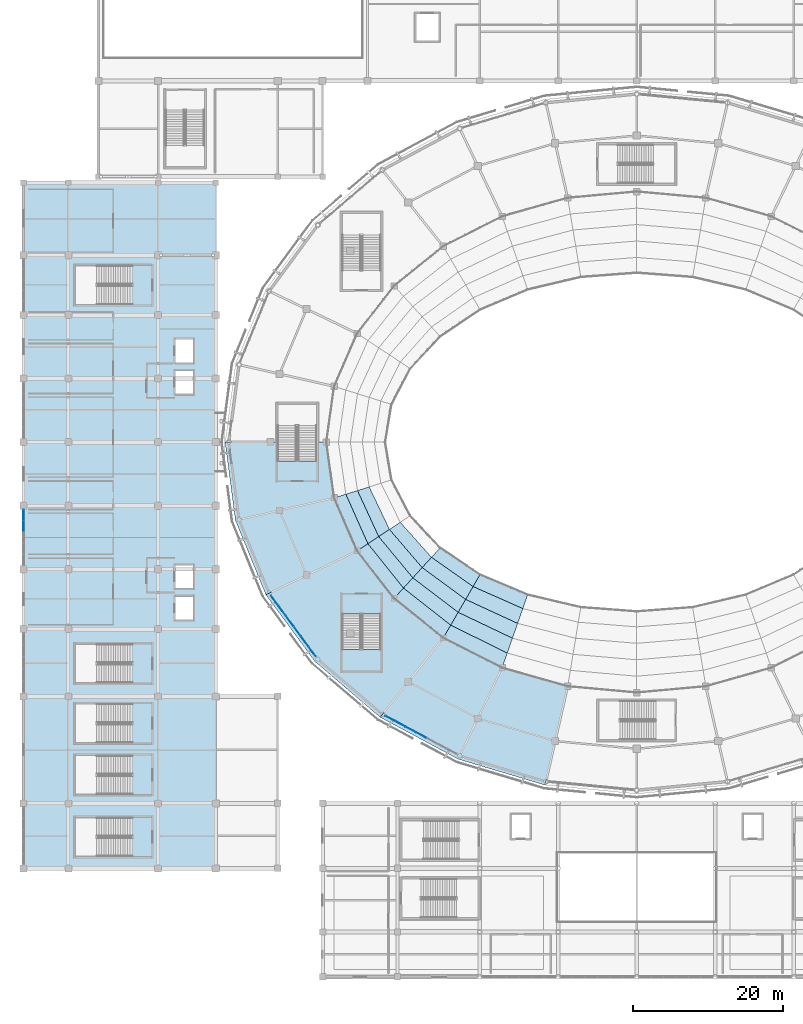
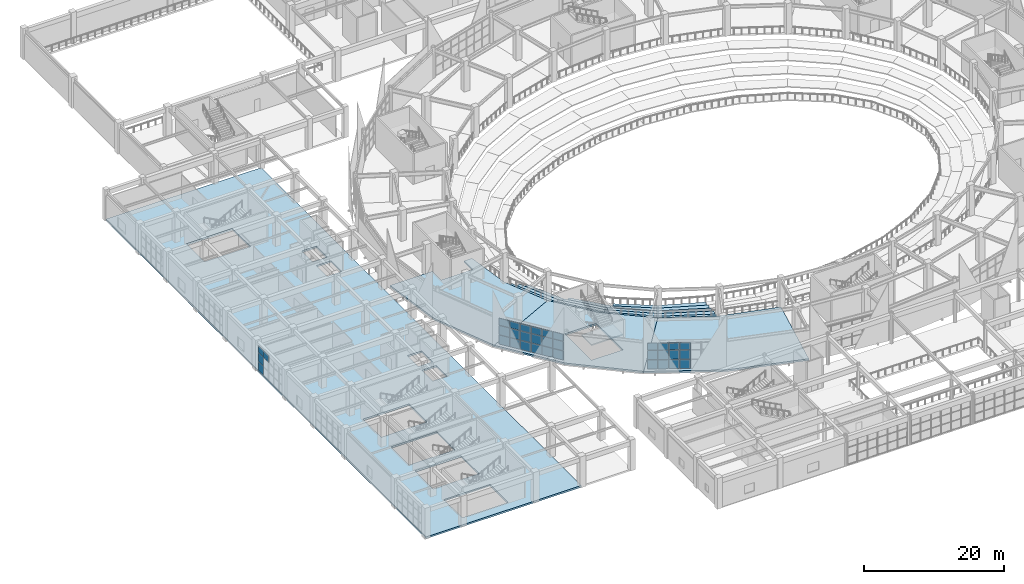
# One storey, part 58 of 120: 34 plates, 22 slabs, 4 elements without a shape of their own.
"""IFC4 building model written with IfcOpenShell, lengths in metres."""

from ifc_helpers import new_model, si_unit, direction, frame, origin, origin_2d, place, context, subcontext, project, spatial, polyline, rectangle, outline, extrude, material, layer, layer_set, type_object, element, aggregate, save


model = new_model("IFC4")

# Units and contexts
model_context = context("Model", 3, precision=1e-05, world=origin(), true_north=direction((0.0, 1.0)))
body_context = subcontext(model_context, "Body", "Model", "MODEL_VIEW")
ifc_project = project(units=[si_unit("LENGTHUNIT", "METRE"), si_unit("AREAUNIT", "SQUARE_METRE"), si_unit("VOLUMEUNIT", "CUBIC_METRE"), si_unit("PLANEANGLEUNIT", "RADIAN"), si_unit("MASSUNIT", "GRAM", prefix="KILO")], contexts=[model_context])

# Site, building, storey
site_placement = place(None, origin())
site = spatial("IfcSite", under=ifc_project, at=site_placement, CompositionType="ELEMENT")
building_placement = place(site_placement, origin())
building = spatial("IfcBuilding", under=site, at=building_placement, Name="Cuetzalor Civic Arena", CompositionType="ELEMENT")
storey_placement = place(building_placement, frame((0.0, 0.0, 6.0)))
storey = spatial("IfcBuildingStorey", under=building, at=storey_placement, Name="L01", CompositionType="ELEMENT", Elevation=6.0)

# Curtain wall, plates
ifc_material_1 = material(Name="Anodised dark bronze aluminium and low-E solar glass", Category="aluminium")
curtain_wall_type_1 = type_object("IfcCurtainWallType", Name="UnitisedCW_10150x4650", PredefinedType="USERDEFINED", material=ifc_material_1)
curtain_wall_1_placement = place(storey_placement, origin())
curtain_wall_1 = element("IfcCurtainWall", 1, at=curtain_wall_1_placement, inside=storey, type_object=curtain_wall_type_1, Name="Drum Triangle Foyer Curtain Wall L01-027", ObjectType="UNITISED CURTAIN WALL", PredefinedType="USERDEFINED")
ifc_material_2 = material(Name="Acoustic laminated solar control glass", Category="glass")
ifc_layer_1 = layer(ifc_material_2, 0.0439453125)
ifc_layer_set_1 = layer_set([ifc_layer_1], Name="Acoustic laminated solar control glass")
plate_type = type_object("IfcPlateType", Name="AcousticTripleGlazedPanel_44", PredefinedType="CURTAIN_PANEL", material=ifc_layer_set_1)
plate_1_placement = place(storey_placement, frame((-43.402587890625, -27.999755859375, 0.06982421875), z_axis=(0.0, 0.0, 1.0), x_axis=(-0.59292931222, 0.805254513002, 0.0)))
plate_1 = element("IfcPlate", 2, at=plate_1_placement, type_object=plate_type, Name="CW-06 panel 1.1", PredefinedType="CURTAIN_PANEL", context=body_context, shape_type="SweptSolid", body=[
    extrude(rectangle(XDim=1.585693359375, YDim=0.0439453125, at=origin_2d()), origin(), (0.0, 0.0, 1.0), 1.570068359375),
])
plate_2_placement = place(storey_placement, frame((-43.402587890625, -27.999755859375, 1.7099609375), z_axis=(0.0, 0.0, 1.0), x_axis=(-0.59292931222, 0.805254513002, 0.0)))
plate_2 = element("IfcPlate", 3, at=plate_2_placement, type_object=plate_type, Name="CW-06 panel 1.2", PredefinedType="CURTAIN_PANEL", context=body_context, shape_type="SweptSolid", body=[
    extrude(rectangle(XDim=1.585693359375, YDim=0.0439453125, at=origin_2d()), origin(), (0.0, 0.0, 1.0), 1.60498046875),
])
plate_3_placement = place(storey_placement, frame((-43.402587890625, -27.999755859375, 3.384765625), z_axis=(0.0, 0.0, 1.0), x_axis=(-0.59292931222, 0.805254513002, 0.0)))
plate_3 = element("IfcPlate", 4, at=plate_3_placement, type_object=plate_type, Name="CW-06 panel 1.3", PredefinedType="CURTAIN_PANEL", context=body_context, shape_type="SweptSolid", body=[
    extrude(rectangle(XDim=1.585693359375, YDim=0.0439453125, at=origin_2d()), origin(), (0.0, 0.0, 1.0), 1.197998046875),
])
plate_4_placement = place(storey_placement, frame((-44.394775390625, -26.652587890625, 0.06982421875), z_axis=(0.0, 0.0, 1.0), x_axis=(-0.59292931222, 0.805254513002, 0.0)))
plate_4 = element("IfcPlate", 5, at=plate_4_placement, type_object=plate_type, Name="CW-06 panel 2.1", PredefinedType="CURTAIN_PANEL", context=body_context, shape_type="SweptSolid", body=[
    extrude(rectangle(XDim=1.62060546875, YDim=0.0439453125, at=origin_2d()), origin(), (0.0, 0.0, 1.0), 1.570068359375),
])
plate_5_placement = place(storey_placement, frame((-44.394775390625, -26.652587890625, 1.7099609375), z_axis=(0.0, 0.0, 1.0), x_axis=(-0.59292931222, 0.805254513002, 0.0)))
plate_5 = element("IfcPlate", 6, at=plate_5_placement, type_object=plate_type, Name="CW-06 panel 2.2", PredefinedType="CURTAIN_PANEL", context=body_context, shape_type="SweptSolid", body=[
    extrude(rectangle(XDim=1.62060546875, YDim=0.0439453125, at=origin_2d()), origin(), (0.0, 0.0, 1.0), 1.60498046875),
])
plate_6_placement = place(storey_placement, frame((-44.394775390625, -26.652587890625, 3.384765625), z_axis=(0.0, 0.0, 1.0), x_axis=(-0.59292931222, 0.805254513002, 0.0)))
plate_6 = element("IfcPlate", 7, at=plate_6_placement, type_object=plate_type, Name="CW-06 panel 2.3", PredefinedType="CURTAIN_PANEL", context=body_context, shape_type="SweptSolid", body=[
    extrude(rectangle(XDim=1.62060546875, YDim=0.0439453125, at=origin_2d()), origin(), (0.0, 0.0, 1.0), 1.197998046875),
])
plate_7_placement = place(storey_placement, frame((-45.397216796875, -25.291015625, 0.06982421875), z_axis=(0.0, 0.0, 1.0), x_axis=(-0.59292931222, 0.805254513002, 0.0)))
plate_7 = element("IfcPlate", 8, at=plate_7_placement, type_object=plate_type, Name="CW-06 panel 3.1", PredefinedType="CURTAIN_PANEL", context=body_context, shape_type="SweptSolid", body=[
    extrude(rectangle(XDim=1.62060546875, YDim=0.0439453125, at=origin_2d()), origin(), (0.0, 0.0, 1.0), 1.570068359375),
])
plate_8_placement = place(storey_placement, frame((-45.397216796875, -25.291015625, 1.7099609375), z_axis=(0.0, 0.0, 1.0), x_axis=(-0.59292931222, 0.805254513002, 0.0)))
plate_8 = element("IfcPlate", 9, at=plate_8_placement, type_object=plate_type, Name="CW-06 panel 3.2", PredefinedType="CURTAIN_PANEL", context=body_context, shape_type="SweptSolid", body=[
    extrude(rectangle(XDim=1.62060546875, YDim=0.0439453125, at=origin_2d()), origin(), (0.0, 0.0, 1.0), 1.60498046875),
])
plate_9_placement = place(storey_placement, frame((-45.397216796875, -25.291015625, 3.384765625), z_axis=(0.0, 0.0, 1.0), x_axis=(-0.59292931222, 0.805254513002, 0.0)))
plate_9 = element("IfcPlate", 10, at=plate_9_placement, type_object=plate_type, Name="CW-06 panel 3.3", PredefinedType="CURTAIN_PANEL", context=body_context, shape_type="SweptSolid", body=[
    extrude(rectangle(XDim=1.62060546875, YDim=0.0439453125, at=origin_2d()), origin(), (0.0, 0.0, 1.0), 1.197998046875),
])
plate_10_placement = place(storey_placement, frame((-46.399658203125, -23.9296875, 0.06982421875), z_axis=(0.0, 0.0, 1.0), x_axis=(-0.59292931222, 0.805254513002, 0.0)))
plate_10 = element("IfcPlate", 11, at=plate_10_placement, type_object=plate_type, Name="CW-06 panel 4.1", PredefinedType="CURTAIN_PANEL", context=body_context, shape_type="SweptSolid", body=[
    extrude(rectangle(XDim=1.62060546875, YDim=0.0439453125, at=origin_2d()), origin(), (0.0, 0.0, 1.0), 1.570068359375),
])
plate_11_placement = place(storey_placement, frame((-46.399658203125, -23.9296875, 1.7099609375), z_axis=(0.0, 0.0, 1.0), x_axis=(-0.59292931222, 0.805254513002, 0.0)))
plate_11 = element("IfcPlate", 12, at=plate_11_placement, type_object=plate_type, Name="CW-06 panel 4.2", PredefinedType="CURTAIN_PANEL", context=body_context, shape_type="SweptSolid", body=[
    extrude(rectangle(XDim=1.62060546875, YDim=0.0439453125, at=origin_2d()), origin(), (0.0, 0.0, 1.0), 1.60498046875),
])
plate_12_placement = place(storey_placement, frame((-46.399658203125, -23.9296875, 3.384765625), z_axis=(0.0, 0.0, 1.0), x_axis=(-0.59292931222, 0.805254513002, 0.0)))
plate_12 = element("IfcPlate", 13, at=plate_12_placement, type_object=plate_type, Name="CW-06 panel 4.3", PredefinedType="CURTAIN_PANEL", context=body_context, shape_type="SweptSolid", body=[
    extrude(rectangle(XDim=1.62060546875, YDim=0.0439453125, at=origin_2d()), origin(), (0.0, 0.0, 1.0), 1.197998046875),
])
plate_13_placement = place(storey_placement, frame((-47.402099609375, -22.568359375, 0.06982421875), z_axis=(0.0, 0.0, 1.0), x_axis=(-0.59292931222, 0.805254513002, 0.0)))
plate_13 = element("IfcPlate", 14, at=plate_13_placement, type_object=plate_type, Name="CW-06 panel 5.1", PredefinedType="CURTAIN_PANEL", context=body_context, shape_type="SweptSolid", body=[
    extrude(rectangle(XDim=1.62060546875, YDim=0.0439453125, at=origin_2d()), origin(), (0.0, 0.0, 1.0), 1.570068359375),
])
plate_14_placement = place(storey_placement, frame((-47.402099609375, -22.568359375, 1.7099609375), z_axis=(0.0, 0.0, 1.0), x_axis=(-0.59292931222, 0.805254513002, 0.0)))
plate_14 = element("IfcPlate", 15, at=plate_14_placement, type_object=plate_type, Name="CW-06 panel 5.2", PredefinedType="CURTAIN_PANEL", context=body_context, shape_type="SweptSolid", body=[
    extrude(rectangle(XDim=1.62060546875, YDim=0.0439453125, at=origin_2d()), origin(), (0.0, 0.0, 1.0), 1.60498046875),
])
plate_15_placement = place(storey_placement, frame((-47.402099609375, -22.568359375, 3.384765625), z_axis=(0.0, 0.0, 1.0), x_axis=(-0.59292931222, 0.805254513002, 0.0)))
plate_15 = element("IfcPlate", 16, at=plate_15_placement, type_object=plate_type, Name="CW-06 panel 5.3", PredefinedType="CURTAIN_PANEL", context=body_context, shape_type="SweptSolid", body=[
    extrude(rectangle(XDim=1.62060546875, YDim=0.0439453125, at=origin_2d()), origin(), (0.0, 0.0, 1.0), 1.197998046875),
])
plate_16_placement = place(storey_placement, frame((-48.39404296875, -21.220947265625, 0.06982421875), z_axis=(0.0, 0.0, 1.0), x_axis=(-0.59292931222, 0.805254513002, 0.0)))
plate_16 = element("IfcPlate", 17, at=plate_16_placement, type_object=plate_type, Name="CW-06 panel 6.1", PredefinedType="CURTAIN_PANEL", context=body_context, shape_type="SweptSolid", body=[
    extrude(rectangle(XDim=1.585693359375, YDim=0.0439453125, at=origin_2d()), origin(), (0.0, 0.0, 1.0), 1.570068359375),
])
plate_17_placement = place(storey_placement, frame((-48.39404296875, -21.220947265625, 1.7099609375), z_axis=(0.0, 0.0, 1.0), x_axis=(-0.59292931222, 0.805254513002, 0.0)))
plate_17 = element("IfcPlate", 18, at=plate_17_placement, type_object=plate_type, Name="CW-06 panel 6.2", PredefinedType="CURTAIN_PANEL", context=body_context, shape_type="SweptSolid", body=[
    extrude(rectangle(XDim=1.585693359375, YDim=0.0439453125, at=origin_2d()), origin(), (0.0, 0.0, 1.0), 1.60498046875),
])
plate_18_placement = place(storey_placement, frame((-48.39404296875, -21.220947265625, 3.384765625), z_axis=(0.0, 0.0, 1.0), x_axis=(-0.59292931222, 0.805254513002, 0.0)))
plate_18 = element("IfcPlate", 19, at=plate_18_placement, type_object=plate_type, Name="CW-06 panel 6.3", PredefinedType="CURTAIN_PANEL", context=body_context, shape_type="SweptSolid", body=[
    extrude(rectangle(XDim=1.585693359375, YDim=0.0439453125, at=origin_2d()), origin(), (0.0, 0.0, 1.0), 1.197998046875),
])
aggregate(curtain_wall_1, [plate_1, plate_2, plate_3, plate_4, plate_5, plate_6, plate_7, plate_8, plate_9, plate_10, plate_11, plate_12, plate_13, plate_14, plate_15, plate_16, plate_17, plate_18])

ifc_material_3 = material(Name="Anodised dark bronze aluminium and low-E solar glass", Category="aluminium")
curtain_wall_type_2 = type_object("IfcCurtainWallType", Name="UnitisedCW_10950x4650", PredefinedType="USERDEFINED", material=ifc_material_3)
curtain_wall_2_placement = place(storey_placement, origin())
curtain_wall_2 = element("IfcCurtainWall", 20, at=curtain_wall_2_placement, inside=storey, type_object=curtain_wall_type_2, Name="Drum Triangle Foyer Curtain Wall L01-028", ObjectType="UNITISED CURTAIN WALL", PredefinedType="USERDEFINED")
plate_19_placement = place(storey_placement, frame((-28.83984375, -39.167236328125, 0.06982421875), z_axis=(0.0, 0.0, 1.0), x_axis=(-0.881306344124, 0.472545371163, 0.0)))
plate_19 = element("IfcPlate", 21, at=plate_19_placement, type_object=plate_type, Name="CW-07 panel 4.1", PredefinedType="CURTAIN_PANEL", context=body_context, shape_type="SweptSolid", body=[
    extrude(rectangle(XDim=1.49365234375, YDim=0.0439453125, at=origin_2d()), origin(), (0.0, 0.0, 1.0), 1.570068359375),
])
plate_20_placement = place(storey_placement, frame((-28.83984375, -39.167236328125, 1.7099609375), z_axis=(0.0, 0.0, 1.0), x_axis=(-0.881306344124, 0.472545371163, 0.0)))
plate_20 = element("IfcPlate", 22, at=plate_20_placement, type_object=plate_type, Name="CW-07 panel 4.2", PredefinedType="CURTAIN_PANEL", context=body_context, shape_type="SweptSolid", body=[
    extrude(rectangle(XDim=1.49365234375, YDim=0.0439453125, at=origin_2d()), origin(), (0.0, 0.0, 1.0), 1.60498046875),
])
plate_21_placement = place(storey_placement, frame((-28.83984375, -39.167236328125, 3.384765625), z_axis=(0.0, 0.0, 1.0), x_axis=(-0.881306344124, 0.472545371163, 0.0)))
plate_21 = element("IfcPlate", 23, at=plate_21_placement, type_object=plate_type, Name="CW-07 panel 4.3", PredefinedType="CURTAIN_PANEL", context=body_context, shape_type="SweptSolid", body=[
    extrude(rectangle(XDim=1.49365234375, YDim=0.0439453125, at=origin_2d()), origin(), (0.0, 0.0, 1.0), 1.197998046875),
])
plate_22_placement = place(storey_placement, frame((-30.218017578125, -38.42822265625, 0.06982421875), z_axis=(0.0, 0.0, 1.0), x_axis=(-0.881306344124, 0.472545371163, 0.0)))
plate_22 = element("IfcPlate", 24, at=plate_22_placement, type_object=plate_type, Name="CW-07 panel 5.1", PredefinedType="CURTAIN_PANEL", context=body_context, shape_type="SweptSolid", body=[
    extrude(rectangle(XDim=1.49365234375, YDim=0.0439453125, at=origin_2d()), origin(), (0.0, 0.0, 1.0), 1.570068359375),
])
plate_23_placement = place(storey_placement, frame((-30.218017578125, -38.42822265625, 1.7099609375), z_axis=(0.0, 0.0, 1.0), x_axis=(-0.881306344124, 0.472545371163, 0.0)))
plate_23 = element("IfcPlate", 25, at=plate_23_placement, type_object=plate_type, Name="CW-07 panel 5.2", PredefinedType="CURTAIN_PANEL", context=body_context, shape_type="SweptSolid", body=[
    extrude(rectangle(XDim=1.49365234375, YDim=0.0439453125, at=origin_2d()), origin(), (0.0, 0.0, 1.0), 1.60498046875),
])
plate_24_placement = place(storey_placement, frame((-30.218017578125, -38.42822265625, 3.384765625), z_axis=(0.0, 0.0, 1.0), x_axis=(-0.881306344124, 0.472545371163, 0.0)))
plate_24 = element("IfcPlate", 26, at=plate_24_placement, type_object=plate_type, Name="CW-07 panel 5.3", PredefinedType="CURTAIN_PANEL", context=body_context, shape_type="SweptSolid", body=[
    extrude(rectangle(XDim=1.49365234375, YDim=0.0439453125, at=origin_2d()), origin(), (0.0, 0.0, 1.0), 1.197998046875),
])
plate_25_placement = place(storey_placement, frame((-31.59619140625, -37.689208984375, 0.06982421875), z_axis=(0.0, 0.0, 1.0), x_axis=(-0.881306344124, 0.472545371163, 0.0)))
plate_25 = element("IfcPlate", 27, at=plate_25_placement, type_object=plate_type, Name="CW-07 panel 6.1", PredefinedType="CURTAIN_PANEL", context=body_context, shape_type="SweptSolid", body=[
    extrude(rectangle(XDim=1.49365234375, YDim=0.0439453125, at=origin_2d()), origin(), (0.0, 0.0, 1.0), 1.570068359375),
])
plate_26_placement = place(storey_placement, frame((-31.59619140625, -37.689208984375, 1.7099609375), z_axis=(0.0, 0.0, 1.0), x_axis=(-0.881306344124, 0.472545371163, 0.0)))
plate_26 = element("IfcPlate", 28, at=plate_26_placement, type_object=plate_type, Name="CW-07 panel 6.2", PredefinedType="CURTAIN_PANEL", context=body_context, shape_type="SweptSolid", body=[
    extrude(rectangle(XDim=1.49365234375, YDim=0.0439453125, at=origin_2d()), origin(), (0.0, 0.0, 1.0), 1.60498046875),
])
plate_27_placement = place(storey_placement, frame((-31.59619140625, -37.689208984375, 3.384765625), z_axis=(0.0, 0.0, 1.0), x_axis=(-0.881306344124, 0.472545371163, 0.0)))
plate_27 = element("IfcPlate", 29, at=plate_27_placement, type_object=plate_type, Name="CW-07 panel 6.3", PredefinedType="CURTAIN_PANEL", context=body_context, shape_type="SweptSolid", body=[
    extrude(rectangle(XDim=1.49365234375, YDim=0.0439453125, at=origin_2d()), origin(), (0.0, 0.0, 1.0), 1.197998046875),
])
plate_28_placement = place(storey_placement, frame((-32.958984375, -36.958740234375, 0.06982421875), z_axis=(0.0, 0.0, 1.0), x_axis=(-0.881306344124, 0.472545371163, 0.0)))
plate_28 = element("IfcPlate", 30, at=plate_28_placement, type_object=plate_type, Name="CW-07 panel 7.1", PredefinedType="CURTAIN_PANEL", context=body_context, shape_type="SweptSolid", body=[
    extrude(rectangle(XDim=1.458740234375, YDim=0.0439453125, at=origin_2d()), origin(), (0.0, 0.0, 1.0), 1.570068359375),
])
plate_29_placement = place(storey_placement, frame((-32.958984375, -36.958740234375, 1.7099609375), z_axis=(0.0, 0.0, 1.0), x_axis=(-0.881306344124, 0.472545371163, 0.0)))
plate_29 = element("IfcPlate", 31, at=plate_29_placement, type_object=plate_type, Name="CW-07 panel 7.2", PredefinedType="CURTAIN_PANEL", context=body_context, shape_type="SweptSolid", body=[
    extrude(rectangle(XDim=1.458740234375, YDim=0.0439453125, at=origin_2d()), origin(), (0.0, 0.0, 1.0), 1.60498046875),
])
plate_30_placement = place(storey_placement, frame((-32.958984375, -36.958740234375, 3.384765625), z_axis=(0.0, 0.0, 1.0), x_axis=(-0.881306344124, 0.472545371163, 0.0)))
plate_30 = element("IfcPlate", 32, at=plate_30_placement, type_object=plate_type, Name="CW-07 panel 7.3", PredefinedType="CURTAIN_PANEL", context=body_context, shape_type="SweptSolid", body=[
    extrude(rectangle(XDim=1.458740234375, YDim=0.0439453125, at=origin_2d()), origin(), (0.0, 0.0, 1.0), 1.197998046875),
])
aggregate(curtain_wall_2, [plate_19, plate_20, plate_21, plate_22, plate_23, plate_24, plate_25, plate_26, plate_27, plate_28, plate_29, plate_30])

ifc_material_4 = material(Name="Anodised dark bronze aluminium and low-E solar glass", Category="aluminium")
curtain_wall_type_3 = type_object("IfcCurtainWallType", Name="UnitisedCW_7600x4450", PredefinedType="USERDEFINED", material=ifc_material_4)
curtain_wall_3_placement = place(storey_placement, origin())
curtain_wall_3 = element("IfcCurtainWall", 33, at=curtain_wall_3_placement, inside=storey, type_object=curtain_wall_type_3, Name="V4W Suite Viewing Curtain Wall L01-110", ObjectType="UNITISED CURTAIN WALL", PredefinedType="USERDEFINED")
plate_31_placement = place(storey_placement, frame((-82.0, -11.23291015625, 3.24365234375), z_axis=(0.0, 0.0, 1.0), x_axis=(0.0, 1.0, 0.0)))
plate_31 = element("IfcPlate", 34, at=plate_31_placement, type_object=plate_type, Name="CW-38 panel 4.3", PredefinedType="CURTAIN_PANEL", context=body_context, shape_type="SweptSolid", body=[
    extrude(rectangle(XDim=1.4521484375, YDim=0.0439453125, at=origin_2d()), origin(), (0.0, 0.0, 1.0), 1.151611328125),
])
plate_32_placement = place(storey_placement, frame((-82.0, -9.73193359375, 0.06494140625), z_axis=(0.0, 0.0, 1.0), x_axis=(0.0, 1.0, 0.0)))
plate_32 = element("IfcPlate", 35, at=plate_32_placement, type_object=plate_type, Name="CW-38 panel 5.1", PredefinedType="CURTAIN_PANEL", context=body_context, shape_type="SweptSolid", body=[
    extrude(rectangle(XDim=1.419677734375, YDim=0.0439453125, at=origin_2d()), origin(), (0.0, 0.0, 1.0), 1.508544921875),
])
plate_33_placement = place(storey_placement, frame((-82.0, -9.73193359375, 1.638427734375), z_axis=(0.0, 0.0, 1.0), x_axis=(0.0, 1.0, 0.0)))
plate_33 = element("IfcPlate", 36, at=plate_33_placement, type_object=plate_type, Name="CW-38 panel 5.2", PredefinedType="CURTAIN_PANEL", context=body_context, shape_type="SweptSolid", body=[
    extrude(rectangle(XDim=1.419677734375, YDim=0.0439453125, at=origin_2d()), origin(), (0.0, 0.0, 1.0), 1.5400390625),
])
plate_34_placement = place(storey_placement, frame((-82.0, -9.73193359375, 3.24365234375), z_axis=(0.0, 0.0, 1.0), x_axis=(0.0, 1.0, 0.0)))
plate_34 = element("IfcPlate", 37, at=plate_34_placement, type_object=plate_type, Name="CW-38 panel 5.3", PredefinedType="CURTAIN_PANEL", context=body_context, shape_type="SweptSolid", body=[
    extrude(rectangle(XDim=1.419677734375, YDim=0.0439453125, at=origin_2d()), origin(), (0.0, 0.0, 1.0), 1.151611328125),
])
aggregate(curtain_wall_3, [plate_31, plate_32, plate_33, plate_34])

# Slabs
ifc_material_5 = material(Name="Concrete C35/45", Category="concrete")
ifc_layer_2 = layer(ifc_material_5, 0.300048828125)
ifc_layer_set_2 = layer_set([ifc_layer_2], Name="Concrete C35/45")
slab_type_1 = type_object("IfcSlabType", Name="ConcourseFloorSlab_300", PredefinedType="FLOOR", material=ifc_layer_set_2)
slab_1_placement = place(storey_placement, frame((0.0, 0.0, -0.300048828125)))
element("IfcSlab", 38, at=slab_1_placement, inside=storey, type_object=slab_type_1, Name="Arena Concourse Sector Slab L01-08", PredefinedType="FLOOR", context=body_context, shape_type="SweptSolid", body=[
    extrude(outline(polyline([(-40.45947265625, -7.45458984375), (-37.39013671875, -14.53515625), (-49.598388671875, -20.414306640625), (-53.669921875, -10.469482421875), (-55.050048828125, 0.0), (-48.0, 0.0), (-48.0, -2.5), (-42.800048828125, -2.5), (-42.800048828125, 0.0), (-41.5, 0.0), (-40.45947265625, -7.45458984375)])), origin(), (0.0, 0.0, 1.0), 0.300048828125),
])
slab_2_placement = place(storey_placement, frame((0.0, 0.0, -0.300048828125)))
element("IfcSlab", 39, at=slab_2_placement, inside=storey, type_object=slab_type_1, Name="Arena Concourse Sector Slab L01-09", PredefinedType="FLOOR", context=body_context, shape_type="SweptSolid", body=[
    extrude(outline(polyline([(-32.446044921875, -20.886962890625), (-25.874755859375, -26.19140625), (-34.322998046875, -36.78515625), (-43.039794921875, -29.335205078125), (-49.598388671875, -20.414306640625), (-37.39013671875, -14.53515625), (-32.446044921875, -20.886962890625)]), holes=[polyline([(-34.199951171875, -30.60009765625), (-34.199951171875, -23.0), (-39.39990234375, -23.0), (-39.39990234375, -30.60009765625), (-34.199951171875, -30.60009765625)])]), origin(), (0.0, 0.0, 1.0), 0.300048828125),
])
slab_3_placement = place(storey_placement, frame((0.0, 0.0, -0.300048828125)))
element("IfcSlab", 40, at=slab_3_placement, inside=storey, type_object=slab_type_1, Name="Arena Concourse Sector Slab L01-10", PredefinedType="FLOOR", context=body_context, shape_type="SweptSolid", body=[
    extrude(outline(polyline([(-25.874755859375, -26.19140625), (-18.006103515625, -30.1826171875), (-9.234619140625, -32.66015625), (-12.249755859375, -45.870361328125), (-23.88525390625, -42.390625), (-34.322998046875, -36.78515625), (-25.874755859375, -26.19140625)])), origin(), (0.0, 0.0, 1.0), 0.300048828125),
])
slab_4_placement = place(storey_placement, frame((0.0, 0.0, -0.300048828125)))
element("IfcSlab", 41, at=slab_4_placement, inside=storey, type_object=slab_type_1, Name="V4W Concourse and Suite Floor Slab L01", PredefinedType="FLOOR", context=body_context, shape_type="SweptSolid", body=[
    extrude(outline(polyline([(-82.0, -57.0), (-56.300048828125, -57.0), (-56.300048828125, 34.699951171875), (-82.0, 34.699951171875), (-82.0, -57.0)]), holes=[polyline([(-75.10009765625, -55.39990234375), (-67.5, -55.39990234375), (-67.5, -50.199951171875), (-75.10009765625, -50.199951171875), (-75.10009765625, -55.39990234375)]), polyline([(-75.10009765625, -47.10009765625), (-67.5, -47.10009765625), (-67.5, -41.89990234375), (-75.10009765625, -41.89990234375), (-75.10009765625, -47.10009765625)]), polyline([(-75.10009765625, -40.199951171875), (-67.5, -40.199951171875), (-67.5, -35.0), (-75.10009765625, -35.0), (-75.10009765625, -40.199951171875)]), polyline([(-75.10009765625, -32.199951171875), (-67.5, -32.199951171875), (-67.5, -27.0), (-75.10009765625, -27.0), (-75.10009765625, -32.199951171875)]), polyline([(-75.10009765625, 18.39990234375), (-67.5, 18.39990234375), (-67.5, 23.60009765625), (-75.10009765625, 23.60009765625), (-75.10009765625, 18.39990234375)]), polyline([(-61.699951171875, -19.550048828125), (-59.300048828125, -19.550048828125), (-59.300048828125, -16.449951171875), (-61.699951171875, -16.449951171875), (-61.699951171875, -19.550048828125)]), polyline([(-61.699951171875, 6.449951171875), (-59.300048828125, 6.449951171875), (-59.300048828125, 9.550048828125), (-61.699951171875, 9.550048828125), (-61.699951171875, 6.449951171875)]), polyline([(-61.699951171875, -23.75), (-59.300048828125, -23.75), (-59.300048828125, -20.64990234375), (-61.699951171875, -20.64990234375), (-61.699951171875, -23.75)]), polyline([(-61.699951171875, 10.64990234375), (-59.300048828125, 10.64990234375), (-59.300048828125, 13.75), (-61.699951171875, 13.75), (-61.699951171875, 10.64990234375)])]), origin(), (0.0, 0.0, 1.0), 0.300048828125),
])
ifc_material_6 = material(Name="Precast concrete C45/55", Category="concrete")
ifc_layer_3 = layer(ifc_material_6, 0.179931640625)
ifc_layer_set_3 = layer_set([ifc_layer_3], Name="Precast concrete C45/55")
slab_type_2 = type_object("IfcSlabType", Name="LowerBowlSeatingTier_180", PredefinedType="USERDEFINED", material=ifc_layer_set_3)
slab_5_placement = place(storey_placement, frame((0.0, 0.0, -3.139892578125)))
element("IfcSlab", 42, at=slab_5_placement, inside=storey, type_object=slab_type_2, Name="Stand Lower Tier Bay 16 Row 3", ObjectType="SEATING TIER", PredefinedType="USERDEFINED", context=body_context, shape_type="SweptSolid", body=[
    extrude(outline(polyline([(-35.77978515625, -5.98583984375), (-33.065673828125, -11.67138671875), (-34.507080078125, -12.6259765625), (-37.339599609375, -6.475341796875), (-35.77978515625, -5.98583984375)])), origin(), (0.0, 0.0, 1.0), 0.179931640625),
])
slab_6_placement = place(storey_placement, frame((0.0, 0.0, -2.219970703125)))
element("IfcSlab", 43, at=slab_6_placement, inside=storey, type_object=slab_type_2, Name="Stand Lower Tier Bay 16 Row 4", ObjectType="SEATING TIER", PredefinedType="USERDEFINED", context=body_context, shape_type="SweptSolid", body=[
    extrude(outline(polyline([(-37.339599609375, -6.475341796875), (-34.507080078125, -12.6259765625), (-35.94873046875, -13.58056640625), (-38.899658203125, -6.96484375), (-37.339599609375, -6.475341796875)])), origin(), (0.0, 0.0, 1.0), 0.179931640625),
])
slab_7_placement = place(storey_placement, frame((0.0, 0.0, -1.300048828125)))
element("IfcSlab", 44, at=slab_7_placement, inside=storey, type_object=slab_type_2, Name="Stand Lower Tier Bay 16 Row 5", ObjectType="SEATING TIER", PredefinedType="USERDEFINED", context=body_context, shape_type="SweptSolid", body=[
    extrude(outline(polyline([(-38.899658203125, -6.96484375), (-35.94873046875, -13.58056640625), (-37.39013671875, -14.53515625), (-40.45947265625, -7.45458984375), (-38.899658203125, -6.96484375)])), origin(), (0.0, 0.0, 1.0), 0.179931640625),
])
slab_8_placement = place(storey_placement, frame((0.0, 0.0, -4.06005859375)))
element("IfcSlab", 45, at=slab_8_placement, inside=storey, type_object=slab_type_2, Name="Stand Lower Tier Bay 17 Row 2", ObjectType="SEATING TIER", PredefinedType="USERDEFINED", context=body_context, shape_type="SweptSolid", body=[
    extrude(outline(polyline([(-31.6240234375, -10.716796875), (-27.4423828125, -15.400146484375), (-28.693115234375, -16.77197265625), (-33.065673828125, -11.67138671875), (-31.6240234375, -10.716796875)])), origin(), (0.0, 0.0, 1.0), 0.18017578125),
])
slab_9_placement = place(storey_placement, frame((0.0, 0.0, -3.139892578125)))
element("IfcSlab", 46, at=slab_9_placement, inside=storey, type_object=slab_type_2, Name="Stand Lower Tier Bay 17 Row 3", ObjectType="SEATING TIER", PredefinedType="USERDEFINED", context=body_context, shape_type="SweptSolid", body=[
    extrude(outline(polyline([(-33.065673828125, -11.67138671875), (-28.693115234375, -16.77197265625), (-29.944091796875, -18.1435546875), (-34.507080078125, -12.6259765625), (-33.065673828125, -11.67138671875)])), origin(), (0.0, 0.0, 1.0), 0.179931640625),
])
slab_10_placement = place(storey_placement, frame((0.0, 0.0, -2.219970703125)))
element("IfcSlab", 47, at=slab_10_placement, inside=storey, type_object=slab_type_2, Name="Stand Lower Tier Bay 17 Row 4", ObjectType="SEATING TIER", PredefinedType="USERDEFINED", context=body_context, shape_type="SweptSolid", body=[
    extrude(outline(polyline([(-34.507080078125, -12.6259765625), (-29.944091796875, -18.1435546875), (-31.195068359375, -19.51513671875), (-35.94873046875, -13.58056640625), (-34.507080078125, -12.6259765625)])), origin(), (0.0, 0.0, 1.0), 0.179931640625),
])
slab_11_placement = place(storey_placement, frame((0.0, 0.0, -1.300048828125)))
element("IfcSlab", 48, at=slab_11_placement, inside=storey, type_object=slab_type_2, Name="Stand Lower Tier Bay 17 Row 5", ObjectType="SEATING TIER", PredefinedType="USERDEFINED", context=body_context, shape_type="SweptSolid", body=[
    extrude(outline(polyline([(-35.94873046875, -13.58056640625), (-31.195068359375, -19.51513671875), (-32.446044921875, -20.886962890625), (-37.39013671875, -14.53515625), (-35.94873046875, -13.58056640625)])), origin(), (0.0, 0.0, 1.0), 0.179931640625),
])
slab_12_placement = place(storey_placement, frame((0.0, 0.0, -4.97998046875)))
element("IfcSlab", 49, at=slab_12_placement, inside=storey, type_object=slab_type_2, Name="Stand Lower Tier Bay 18 Row 1", ObjectType="SEATING TIER", PredefinedType="USERDEFINED", context=body_context, shape_type="SweptSolid", body=[
    extrude(outline(polyline([(-26.19140625, -14.028564453125), (-20.886962890625, -17.59130859375), (-21.884521484375, -19.311279296875), (-27.4423828125, -15.400146484375), (-26.19140625, -14.028564453125)])), origin(), (0.0, 0.0, 1.0), 0.179931640625),
])
slab_13_placement = place(storey_placement, frame((0.0, 0.0, -4.06005859375)))
element("IfcSlab", 50, at=slab_13_placement, inside=storey, type_object=slab_type_2, Name="Stand Lower Tier Bay 18 Row 2", ObjectType="SEATING TIER", PredefinedType="USERDEFINED", context=body_context, shape_type="SweptSolid", body=[
    extrude(outline(polyline([(-27.4423828125, -15.400146484375), (-21.884521484375, -19.311279296875), (-22.882080078125, -21.03125), (-28.693115234375, -16.77197265625), (-27.4423828125, -15.400146484375)])), origin(), (0.0, 0.0, 1.0), 0.18017578125),
])
slab_14_placement = place(storey_placement, frame((0.0, 0.0, -3.139892578125)))
element("IfcSlab", 51, at=slab_14_placement, inside=storey, type_object=slab_type_2, Name="Stand Lower Tier Bay 18 Row 3", ObjectType="SEATING TIER", PredefinedType="USERDEFINED", context=body_context, shape_type="SweptSolid", body=[
    extrude(outline(polyline([(-28.693115234375, -16.77197265625), (-22.882080078125, -21.03125), (-23.879638671875, -22.751220703125), (-29.944091796875, -18.1435546875), (-28.693115234375, -16.77197265625)])), origin(), (0.0, 0.0, 1.0), 0.179931640625),
])
slab_15_placement = place(storey_placement, frame((0.0, 0.0, -2.219970703125)))
element("IfcSlab", 52, at=slab_15_placement, inside=storey, type_object=slab_type_2, Name="Stand Lower Tier Bay 18 Row 4", ObjectType="SEATING TIER", PredefinedType="USERDEFINED", context=body_context, shape_type="SweptSolid", body=[
    extrude(outline(polyline([(-29.944091796875, -18.1435546875), (-23.879638671875, -22.751220703125), (-24.877197265625, -24.47119140625), (-31.195068359375, -19.51513671875), (-29.944091796875, -18.1435546875)])), origin(), (0.0, 0.0, 1.0), 0.179931640625),
])
slab_16_placement = place(storey_placement, frame((0.0, 0.0, -1.300048828125)))
element("IfcSlab", 53, at=slab_16_placement, inside=storey, type_object=slab_type_2, Name="Stand Lower Tier Bay 18 Row 5", ObjectType="SEATING TIER", PredefinedType="USERDEFINED", context=body_context, shape_type="SweptSolid", body=[
    extrude(outline(polyline([(-31.195068359375, -19.51513671875), (-24.877197265625, -24.47119140625), (-25.874755859375, -26.19140625), (-32.446044921875, -20.886962890625), (-31.195068359375, -19.51513671875)])), origin(), (0.0, 0.0, 1.0), 0.179931640625),
])
slab_17_placement = place(storey_placement, frame((0.0, 0.0, -4.97998046875)))
element("IfcSlab", 54, at=slab_17_placement, inside=storey, type_object=slab_type_2, Name="Stand Lower Tier Bay 19 Row 1", ObjectType="SEATING TIER", PredefinedType="USERDEFINED", context=body_context, shape_type="SweptSolid", body=[
    extrude(outline(polyline([(-20.886962890625, -17.59130859375), (-14.53515625, -20.271728515625), (-15.229248046875, -22.25390625), (-21.884521484375, -19.311279296875), (-20.886962890625, -17.59130859375)])), origin(), (0.0, 0.0, 1.0), 0.179931640625),
])
slab_18_placement = place(storey_placement, frame((0.0, 0.0, -4.06005859375)))
element("IfcSlab", 55, at=slab_18_placement, inside=storey, type_object=slab_type_2, Name="Stand Lower Tier Bay 19 Row 2", ObjectType="SEATING TIER", PredefinedType="USERDEFINED", context=body_context, shape_type="SweptSolid", body=[
    extrude(outline(polyline([(-21.884521484375, -19.311279296875), (-15.229248046875, -22.25390625), (-15.923583984375, -24.236083984375), (-22.882080078125, -21.03125), (-21.884521484375, -19.311279296875)])), origin(), (0.0, 0.0, 1.0), 0.18017578125),
])
slab_19_placement = place(storey_placement, frame((0.0, 0.0, -3.139892578125)))
element("IfcSlab", 56, at=slab_19_placement, inside=storey, type_object=slab_type_2, Name="Stand Lower Tier Bay 19 Row 3", ObjectType="SEATING TIER", PredefinedType="USERDEFINED", context=body_context, shape_type="SweptSolid", body=[
    extrude(outline(polyline([(-22.882080078125, -21.03125), (-15.923583984375, -24.236083984375), (-16.61767578125, -26.21826171875), (-23.879638671875, -22.751220703125), (-22.882080078125, -21.03125)])), origin(), (0.0, 0.0, 1.0), 0.179931640625),
])
slab_20_placement = place(storey_placement, frame((0.0, 0.0, -2.219970703125)))
element("IfcSlab", 57, at=slab_20_placement, inside=storey, type_object=slab_type_2, Name="Stand Lower Tier Bay 19 Row 4", ObjectType="SEATING TIER", PredefinedType="USERDEFINED", context=body_context, shape_type="SweptSolid", body=[
    extrude(outline(polyline([(-23.879638671875, -22.751220703125), (-16.61767578125, -26.21826171875), (-17.31201171875, -28.2001953125), (-24.877197265625, -24.47119140625), (-23.879638671875, -22.751220703125)])), origin(), (0.0, 0.0, 1.0), 0.179931640625),
])
slab_21_placement = place(storey_placement, frame((0.0, 0.0, -1.300048828125)))
element("IfcSlab", 58, at=slab_21_placement, inside=storey, type_object=slab_type_2, Name="Stand Lower Tier Bay 19 Row 5", ObjectType="SEATING TIER", PredefinedType="USERDEFINED", context=body_context, shape_type="SweptSolid", body=[
    extrude(outline(polyline([(-24.877197265625, -24.47119140625), (-17.31201171875, -28.2001953125), (-18.006103515625, -30.1826171875), (-25.874755859375, -26.19140625), (-24.877197265625, -24.47119140625)])), origin(), (0.0, 0.0, 1.0), 0.179931640625),
])

# Stair, slab
ifc_material_7 = material(Name="Precast concrete C40/50", Category="concrete")
stair_type = type_object("IfcStairType", Name="EnclosedExitStair_H540", PredefinedType="HALF_TURN_STAIR", material=ifc_material_7)
stair_placement = place(storey_placement, origin())
stair = element("IfcStair", 59, at=stair_placement, inside=storey, type_object=stair_type, Name="L01 Enclosed Exit Stair ST-06", PredefinedType="HALF_TURN_STAIR")
ifc_material_8 = material(Name="Concrete C40/50", Category="concrete")
ifc_layer_4 = layer(ifc_material_8, 0.199951171875)
ifc_layer_set_4 = layer_set([ifc_layer_4], Name="Concrete C40/50")
slab_type_3 = type_object("IfcSlabType", Name="StairHalfLandingSlab_200", PredefinedType="LANDING", material=ifc_layer_set_4)
slab_22_placement = place(storey_placement, frame((0.0, 0.0, 2.5)))
slab_22 = element("IfcSlab", 60, at=slab_22_placement, type_object=slab_type_3, Name="ST-06 landing 1", PredefinedType="LANDING", context=body_context, shape_type="SweptSolid", body=[
    extrude(outline(polyline([(-39.39990234375, -27.719970703125), (-39.39990234375, -30.60009765625), (-34.199951171875, -30.60009765625), (-34.199951171875, -27.719970703125), (-39.39990234375, -27.719970703125)])), origin(), (0.0, 0.0, 1.0), 0.199951171875),
])
aggregate(stair, [slab_22])

save(model, "model.ifc")
